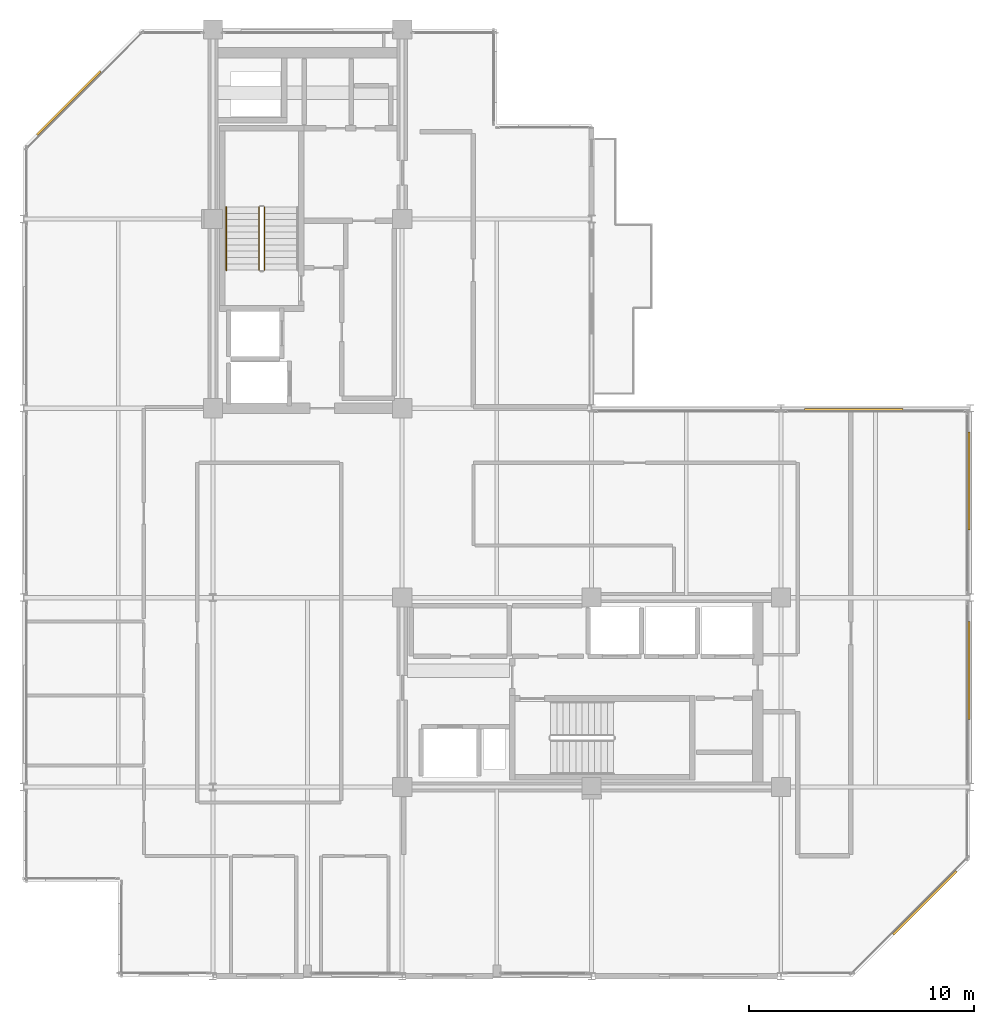
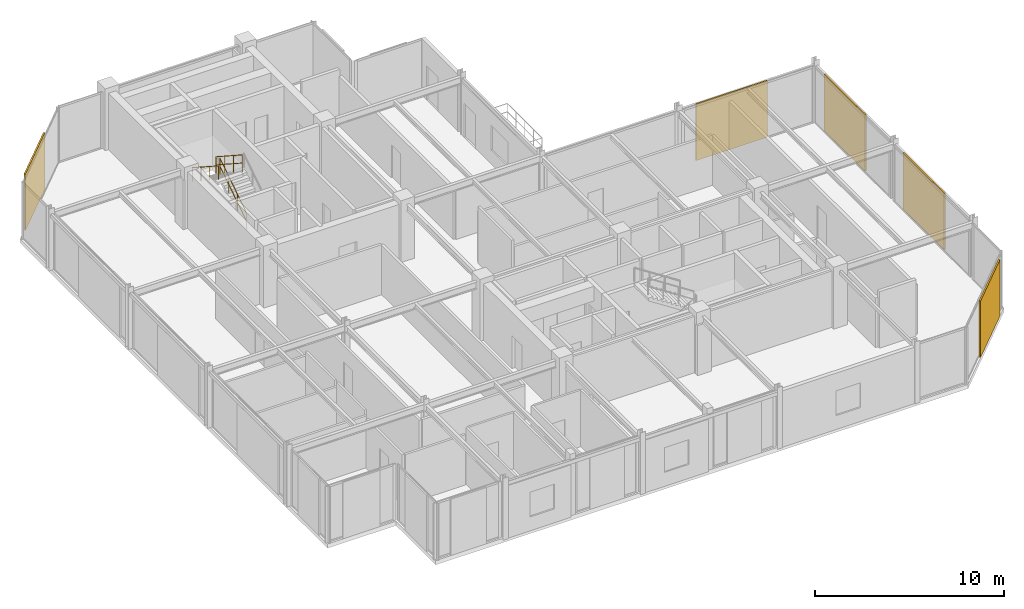
# One storey, part 25 of 26: 5 coverings, 3 railings.
"""IFC4 building model written with IfcOpenShell, lengths in metres."""

from ifc_helpers import new_model, si_unit, direction, frame, origin, origin_2d, place, context, subcontext, project, spatial, rectangle, circle, extrude, material, layer, layer_set, type_object, element, save


model = new_model("IFC4")

# Units and contexts
model_context = context("Model", 3, precision=1e-05, world=origin(), true_north=direction((0.0, 1.0)))
body_context = subcontext(model_context, "Body", "Model", "MODEL_VIEW")
ifc_project = project(units=[si_unit("LENGTHUNIT", "METRE"), si_unit("AREAUNIT", "SQUARE_METRE"), si_unit("VOLUMEUNIT", "CUBIC_METRE"), si_unit("PLANEANGLEUNIT", "RADIAN"), si_unit("MASSUNIT", "GRAM", prefix="KILO")], contexts=[model_context])

# Site, building, storey
site_placement = place(None, origin())
site = spatial("IfcSite", under=ifc_project, at=site_placement, CompositionType="ELEMENT")
building_placement = place(site_placement, origin())
building = spatial("IfcBuilding", under=site, at=building_placement, Name="Nerrivon Quay Data Exchange", CompositionType="ELEMENT")
storey_placement = place(building_placement, frame((0.0, 0.0, 282.199951171875)))
storey = spatial("IfcBuildingStorey", under=building, at=storey_placement, Name="L67", CompositionType="ELEMENT", Elevation=282.199951171875)

# Coverings
ifc_material_1 = material(Name="Architectural terracotta ceramic", Category="masonry")
ifc_layer = layer(ifc_material_1, 0.090087890625)
ifc_layer_set = layer_set([ifc_layer], Name="Architectural terracotta ceramic")
covering_type = type_object("IfcCoveringType", Name="COV-SCR-TERR", PredefinedType="CLADDING", material=ifc_layer_set)
for number, where, z_axis, x_axis, name in (
    (1, (39.9921875, 3.255859375, 0.0), (0.0, 0.0, 1.0), (-0.707106781187, -0.707106781187, 0.0), "L67 Perforated Terracotta SOLAR SCREEN Cassette"),
    (2, (2.0078125, 38.744140625, 0.0), (0.0, 0.0, 1.0), (0.707106781187, 0.707106781187, 0.0), "L67 Perforated Terracotta SOLAR SCREEN Cassette"),
):
    element("IfcCovering", number, at=place(storey_placement, frame(where, z_axis=z_axis, x_axis=x_axis)), inside=storey, type_object=covering_type, Name=name, PredefinedType="CLADDING", context=body_context, shape_type="SweptSolid", body=[
        extrude(rectangle(XDim=3.970947265625, YDim=0.090087890625, at=origin_2d()), origin(), (0.0, 0.0, 1.0), 3.64990234375),
    ])
covering_placement = place(storey_placement, frame((36.829345703125, 25.155029296875, 0.0), z_axis=(0.0, 0.0, 1.0), x_axis=(1.0, 0.0, 0.0)))
element("IfcCovering", 3, at=covering_placement, inside=storey, type_object=covering_type, Name="L67 Perforated Terracotta SOLAR SCREEN Cassette", PredefinedType="CLADDING", context=body_context, shape_type="SweptSolid", body=[
    extrude(rectangle(XDim=4.367919921875, YDim=0.090087890625, at=origin_2d()), origin(), (0.0, 0.0, 1.0), 3.64990234375),
])
for number, where, z_axis, x_axis, name in (
    (4, (41.955078125, 21.96875, 0.0), (0.0, 0.0, 1.0), (0.0, -1.0, 0.0), "L67 Perforated Terracotta SOLAR SCREEN Cassette"),
    (5, (41.955078125, 13.56884765625, 0.0), (0.0, 0.0, 1.0), (0.0, -1.0, 0.0), "L67 Perforated Terracotta SOLAR SCREEN Cassette"),
):
    element("IfcCovering", number, at=place(storey_placement, frame(where, z_axis=z_axis, x_axis=x_axis)), inside=storey, type_object=covering_type, Name=name, PredefinedType="CLADDING", context=body_context, shape_type="SweptSolid", body=[
        extrude(rectangle(XDim=4.35888671875, YDim=0.090087890625, at=origin_2d()), origin(), (0.0, 0.0, 1.0), 3.64990234375),
    ])

# Railings
ifc_material_2 = material(Name="Steel Grade C350L0 (350 MPa)", Category="steel")
railing_type_1 = type_object("IfcRailingType", Name="RAIL-HAND-HR1", PredefinedType="HANDRAIL", material=ifc_material_2)
railing_1_placement = place(storey_placement, frame((9.0, 34.1298828125, 2.181884765625)))
element("IfcRailing", 6, at=railing_1_placement, inside=storey, type_object=railing_type_1, Name="L67 ST01 stair handrail 2", PredefinedType="HANDRAIL", context=body_context, shape_type="SweptSolid", body=[
    extrude(circle(Radius=0.02392578125, at=origin_2d()), frame((0.0, 0.0, 0.8759765625), z_axis=(0.0, -0.83868413941, 0.544618136222), x_axis=(1.0, 0.0, 0.0)), (0.0, 0.0, 1.0), 3.33837890625),
    extrude(circle(Radius=0.02099609375, at=origin_2d()), origin(), (0.0, 0.0, 1.0), 0.851806640625),
    extrude(circle(Radius=0.02099609375, at=origin_2d()), frame((0.0, -0.933349609375, 0.60595703125)), (0.0, 0.0, 1.0), 0.851806640625),
    extrude(circle(Radius=0.02099609375, at=origin_2d()), frame((0.0, -1.866455078125, 1.212158203125)), (0.0, 0.0, 1.0), 0.851806640625),
    extrude(circle(Radius=0.02099609375, at=origin_2d()), frame((0.0, -2.7998046875, 1.818115234375)), (0.0, 0.0, 1.0), 0.851806640625),
])
railing_type_2 = type_object("IfcRailingType", Name="RAIL-STAIR-GR1", PredefinedType="BALUSTRADE", material=ifc_material_2)
railing_2_placement = place(storey_placement, frame((10.699951171875, 31.330078125, 0.181884765625)))
element("IfcRailing", 7, at=railing_2_placement, inside=storey, type_object=railing_type_2, Name="L67 ST01 stair guard 1", PredefinedType="BALUSTRADE", context=body_context, shape_type="SweptSolid", body=[
    extrude(circle(Radius=0.02392578125, at=origin_2d()), frame((0.0, 0.0, 1.076171875), z_axis=(0.0, 0.83868413941, 0.544618136222), x_axis=(-1.0, 0.0, 0.0)), (0.0, 0.0, 1.0), 3.33837890625),
    extrude(circle(Radius=0.02392578125, at=origin_2d()), frame((0.0, 0.0, 0.550048828125), z_axis=(0.0, 0.83868413941, 0.544618136222), x_axis=(-1.0, 0.0, 0.0)), (0.0, 0.0, 1.0), 3.33837890625),
    extrude(circle(Radius=0.02099609375, at=origin_2d()), origin(), (0.0, 0.0, 1.0), 1.052001953125),
    extrude(circle(Radius=0.02099609375, at=origin_2d()), frame((0.0, 0.933349609375, 0.60595703125)), (0.0, 0.0, 1.0), 1.052001953125),
    extrude(circle(Radius=0.02099609375, at=origin_2d()), frame((0.0, 1.866455078125, 1.212158203125)), (0.0, 0.0, 1.0), 1.052001953125),
    extrude(circle(Radius=0.02099609375, at=origin_2d()), frame((0.0, 2.7998046875, 1.818115234375)), (0.0, 0.0, 1.0), 1.052001953125),
])
railing_3_placement = place(storey_placement, frame((10.449951171875, 34.1298828125, 2.181884765625)))
element("IfcRailing", 8, at=railing_3_placement, inside=storey, type_object=railing_type_2, Name="L67 ST01 stair guard 3", PredefinedType="BALUSTRADE", context=body_context, shape_type="SweptSolid", body=[
    extrude(circle(Radius=0.02392578125, at=origin_2d()), frame((0.0, 0.0, 1.076171875), z_axis=(0.0, -0.83868413941, 0.544618136222), x_axis=(1.0, 0.0, 0.0)), (0.0, 0.0, 1.0), 3.33837890625),
    extrude(circle(Radius=0.02392578125, at=origin_2d()), frame((0.0, 0.0, 0.550048828125), z_axis=(0.0, -0.83868413941, 0.544618136222), x_axis=(1.0, 0.0, 0.0)), (0.0, 0.0, 1.0), 3.33837890625),
    extrude(circle(Radius=0.02099609375, at=origin_2d()), origin(), (0.0, 0.0, 1.0), 1.052001953125),
    extrude(circle(Radius=0.02099609375, at=origin_2d()), frame((0.0, -0.933349609375, 0.60595703125)), (0.0, 0.0, 1.0), 1.052001953125),
    extrude(circle(Radius=0.02099609375, at=origin_2d()), frame((0.0, -1.866455078125, 1.212158203125)), (0.0, 0.0, 1.0), 1.052001953125),
    extrude(circle(Radius=0.02099609375, at=origin_2d()), frame((0.0, -2.7998046875, 1.818115234375)), (0.0, 0.0, 1.0), 1.052001953125),
])

save(model, "model.ifc")
